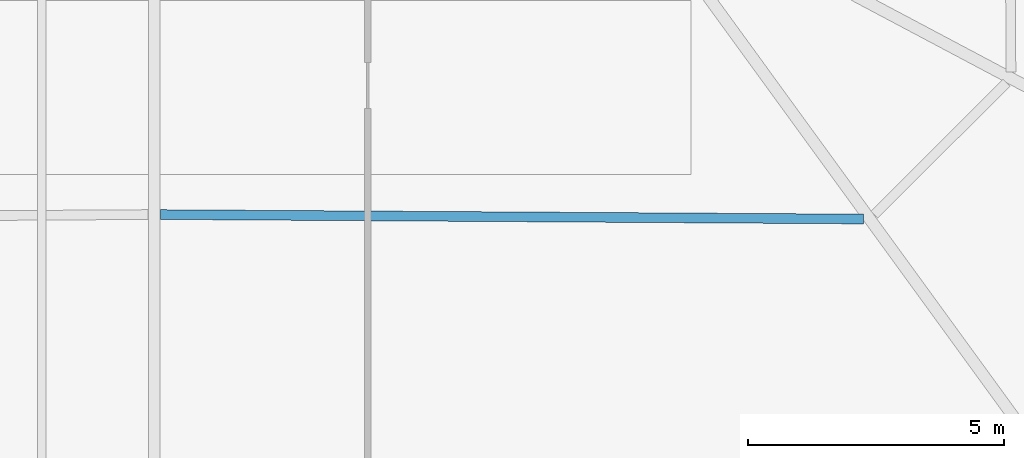
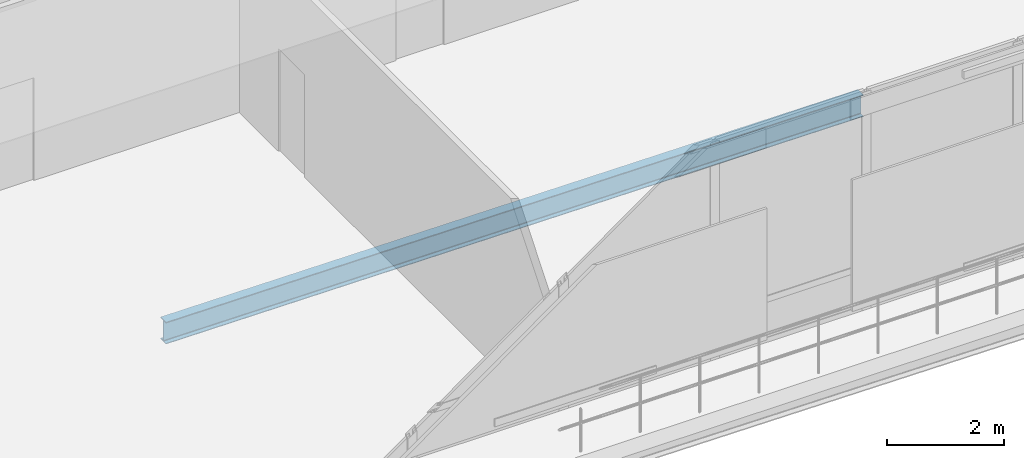
# One storey, part 11 of 48: 1 beam.
"""IFC4 building model written with IfcOpenShell, lengths in metres."""

from ifc_helpers import new_model, si_unit, direction, frame, origin, origin_2d, place, context, subcontext, project, spatial, i_section, extrude, material, material_profile, profile_set, type_object, element, save


model = new_model("IFC4")

# Units and contexts
model_context = context("Model", 3, precision=1e-05, world=origin(), true_north=direction((0.0, 1.0)))
body_context = subcontext(model_context, "Body", "Model", "MODEL_VIEW")
ifc_project = project(units=[si_unit("LENGTHUNIT", "METRE"), si_unit("AREAUNIT", "SQUARE_METRE"), si_unit("VOLUMEUNIT", "CUBIC_METRE"), si_unit("PLANEANGLEUNIT", "RADIAN"), si_unit("MASSUNIT", "GRAM", prefix="KILO")], contexts=[model_context])

# Site, building, storey
site_placement = place(None, origin())
site = spatial("IfcSite", under=ifc_project, at=site_placement, CompositionType="ELEMENT")
building_placement = place(site_placement, origin())
building = spatial("IfcBuilding", under=site, at=building_placement, Name="Caelvoria Tower", CompositionType="ELEMENT")
storey_placement = place(building_placement, frame((0.0, 0.0, 90.39990234375)))
storey = spatial("IfcBuildingStorey", under=building, at=storey_placement, Name="L23", CompositionType="ELEMENT", Elevation=90.39990234375)

# Beam
ifc_material = material(Name="Structural Steel ASTM A992 Gr.50", Category="steel")
ifc_material_profile = material_profile(ifc_material, i_section(OverallWidth=0.18994140625, OverallDepth=0.45703125, WebThickness=0.009033203125, FlangeThickness=0.014404296875, FilletRadius=0.014892578125, at=origin_2d()), Name="Structural Steel ASTM A992 Gr.50")
ifc_profile_set = profile_set([ifc_material_profile], Name="W460X74 - Structural Steel ASTM A992 Gr.50")
beam_type = type_object("IfcBeamType", Name="Secondary Floor Beam W460X74", PredefinedType="BEAM", material=ifc_profile_set)
beam_placement = place(storey_placement, frame((46.125, 17.217529296875, -0.54833984375), z_axis=(0.999979787802, -0.006357986077, 0.0), x_axis=(0.006357986077, 0.999979787802, 0.0)))
element("IfcBeam", 1, at=beam_placement, inside=storey, type_object=beam_type, Name="Secondary Floor Beam L23-01", PredefinedType="BEAM", context=body_context, shape_type="SweptSolid", body=[
    extrude(i_section(OverallWidth=0.18994140625, OverallDepth=0.45703125, WebThickness=0.009033203125, FlangeThickness=0.014404296875, FilletRadius=0.014892578125, at=origin_2d()), origin(), (0.0, 0.0, 1.0), 13.746826171875),
])

save(model, "model.ifc")
